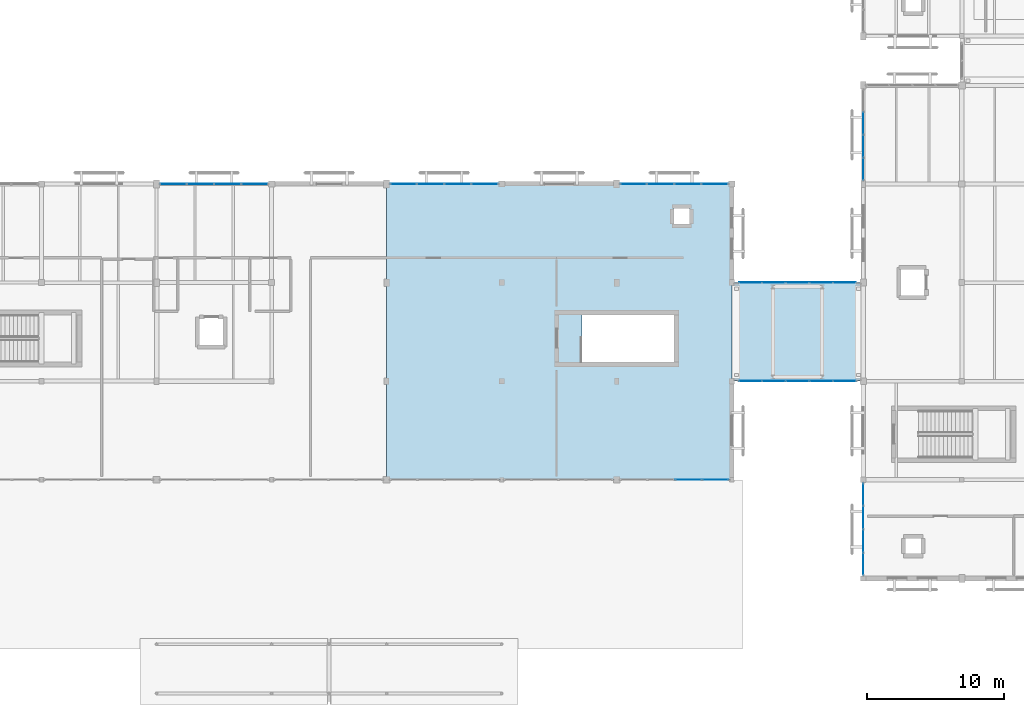
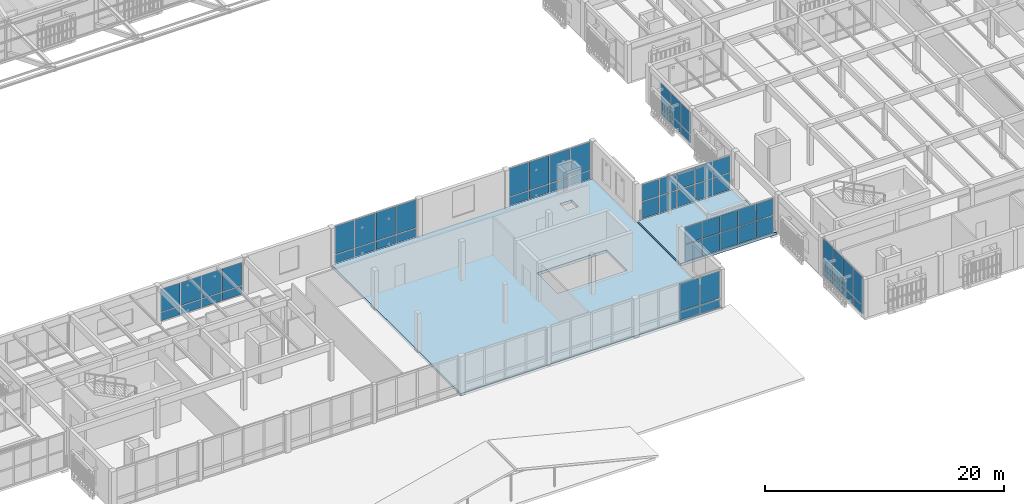
# One storey, part 166 of 217: 62 plates, 2 slabs, 8 elements without a shape of their own.
"""IFC4 building model written with IfcOpenShell, lengths in metres."""

from ifc_helpers import new_model, si_unit, direction, frame, origin, origin_2d, place, context, subcontext, project, spatial, polyline, rectangle, outline, extrude, material, layer, layer_set, type_object, element, aggregate, save


model = new_model("IFC4")

# Units and contexts
model_context = context("Model", 3, precision=1e-05, world=origin(), true_north=direction((0.0, 1.0)))
body_context = subcontext(model_context, "Body", "Model", "MODEL_VIEW")
ifc_project = project(units=[si_unit("LENGTHUNIT", "METRE"), si_unit("AREAUNIT", "SQUARE_METRE"), si_unit("VOLUMEUNIT", "CUBIC_METRE"), si_unit("PLANEANGLEUNIT", "RADIAN"), si_unit("MASSUNIT", "GRAM", prefix="KILO")], contexts=[model_context])

# Site, building, storey
site_placement = place(None, origin())
site = spatial("IfcSite", under=ifc_project, at=site_placement, CompositionType="ELEMENT")
building_placement = place(site_placement, origin())
building = spatial("IfcBuilding", under=site, at=building_placement, Name="Mazaris Harbour Polytechnic", CompositionType="ELEMENT")
storey_placement = place(building_placement, frame((0.0, 0.0, 9.60009765625)))
storey = spatial("IfcBuildingStorey", under=building, at=storey_placement, Name="L02", CompositionType="ELEMENT", Elevation=9.60009765625)

# Slabs
ifc_material_1 = material(Name="Glulam GL28h and Concrete C30/37", Category="concrete")
ifc_layer_1 = layer(ifc_material_1, 0.264892578125, Name="Glulam GL28h and Concrete C30/37")
ifc_layer_set_1 = layer_set([ifc_layer_1], Name="Glulam GL28h and Concrete C30/37")
slab_type_1 = type_object("IfcSlabType", Name="CLT Composite Floor 265", PredefinedType="FLOOR", material=ifc_layer_set_1)
slab_1_placement = place(storey_placement, frame((0.0, 0.0, -0.26513671875)))
element("IfcSlab", 1, at=slab_1_placement, inside=storey, type_object=slab_type_1, Name="PB-E1 L02 Bridge Deck", PredefinedType="FLOOR", context=body_context, shape_type="SweptSolid", body=[
    extrude(outline(polyline([(122.25, 21.60009765625), (122.25, 28.800048828125), (112.949951171875, 28.800048828125), (112.949951171875, 21.60009765625), (122.25, 21.60009765625)])), origin(), (0.0, 0.0, 1.0), 0.26513671875),
])
ifc_material_2 = material(Name="Glulam GL28h and Concrete C30/37", Category="concrete")
ifc_layer_2 = layer(ifc_material_2, 0.280029296875, Name="Glulam GL28h and Concrete C30/37")
ifc_layer_set_2 = layer_set([ifc_layer_2], Name="Glulam GL28h and Concrete C30/37")
slab_type_2 = type_object("IfcSlabType", Name="CLT Composite Floor 280", PredefinedType="FLOOR", material=ifc_layer_set_2)
slab_2_placement = place(storey_placement, frame((0.0, 0.0, -0.280029296875)))
element("IfcSlab", 2, at=slab_2_placement, inside=storey, type_object=slab_type_2, Name="V3 L02 Floor Slab", PredefinedType="FLOOR", context=body_context, shape_type="SweptSolid", body=[
    extrude(outline(polyline([(112.800048828125, 36.0), (112.800048828125, 14.39990234375), (87.60009765625, 14.39990234375), (87.60009765625, 36.0), (112.800048828125, 36.0)]), holes=[polyline([(108.60009765625, 26.449951171875), (101.875, 26.449951171875), (101.875, 23.0), (108.60009765625, 23.0), (108.60009765625, 26.449951171875)]), polyline([(108.580078125, 34.199951171875), (108.580078125, 33.080078125), (109.699951171875, 33.080078125), (109.699951171875, 34.199951171875), (108.580078125, 34.199951171875)])]), origin(), (0.0, 0.0, 1.0), 0.280029296875),
])

# Curtain wall, plates
ifc_material_3 = material(Name="Anodised Bronze Aluminium and Low-E Glass", Category="aluminium")
ifc_layer_3 = layer(ifc_material_3, 0.139892578125, Name="Anodised Bronze Aluminium and Low-E Glass")
ifc_layer_set_3 = layer_set([ifc_layer_3], Name="Anodised Bronze Aluminium and Low-E Glass")
curtain_wall_type_1 = type_object("IfcCurtainWallType", Name="Seismic Link Bridge Glazing", PredefinedType="NOTDEFINED", material=ifc_layer_set_3)
curtain_wall_1_placement = place(storey_placement, origin())
curtain_wall_1 = element("IfcCurtainWall", 3, at=curtain_wall_1_placement, inside=storey, type_object=curtain_wall_type_1, Name="PB-E1 L02 Bridge Glazing", PredefinedType="NOTDEFINED")
ifc_material_4 = material(Name="Anodised Bronze Insulated Panel")
ifc_layer_4 = layer(ifc_material_4, 0.0419921875, Name="Anodised Bronze Insulated Panel")
ifc_layer_set_4 = layer_set([ifc_layer_4], Name="Anodised Bronze Insulated Panel")
plate_type_1 = type_object("IfcPlateType", Name="Insulated Bronze Spandrel Panel 42", PredefinedType="CURTAIN_PANEL", material=ifc_layer_set_4)
plate_1_placement = place(storey_placement, frame((114.1640625, 21.60009765625, 0.080078125), z_axis=(0.0, 0.0, 1.0), x_axis=(1.0, 0.0, 0.0)))
plate_1 = element("IfcPlate", 4, at=plate_1_placement, type_object=plate_type_1, Name="CW-05 panel 1.1", PredefinedType="CURTAIN_PANEL", context=body_context, shape_type="SweptSolid", body=[
    extrude(rectangle(XDim=1.60791015625, YDim=0.0419921875, at=origin_2d()), origin(), (0.0, 0.0, 1.0), 1.697509765625),
])
plate_2_placement = place(storey_placement, frame((114.1640625, 21.60009765625, 1.857421875), z_axis=(0.0, 0.0, 1.0), x_axis=(1.0, 0.0, 0.0)))
plate_2 = element("IfcPlate", 5, at=plate_2_placement, type_object=plate_type_1, Name="CW-05 panel 1.2", PredefinedType="CURTAIN_PANEL", context=body_context, shape_type="SweptSolid", body=[
    extrude(rectangle(XDim=1.60791015625, YDim=0.0419921875, at=origin_2d()), origin(), (0.0, 0.0, 1.0), 1.697509765625),
])
plate_3_placement = place(storey_placement, frame((115.8720703125, 21.60009765625, 0.080078125), z_axis=(0.0, 0.0, 1.0), x_axis=(1.0, 0.0, 0.0)))
plate_3 = element("IfcPlate", 6, at=plate_3_placement, type_object=plate_type_1, Name="CW-05 panel 2.1", PredefinedType="CURTAIN_PANEL", context=body_context, shape_type="SweptSolid", body=[
    extrude(rectangle(XDim=1.64794921875, YDim=0.0419921875, at=origin_2d()), origin(), (0.0, 0.0, 1.0), 1.697509765625),
])
plate_4_placement = place(storey_placement, frame((115.8720703125, 21.60009765625, 1.857421875), z_axis=(0.0, 0.0, 1.0), x_axis=(1.0, 0.0, 0.0)))
plate_4 = element("IfcPlate", 7, at=plate_4_placement, type_object=plate_type_1, Name="CW-05 panel 2.2", PredefinedType="CURTAIN_PANEL", context=body_context, shape_type="SweptSolid", body=[
    extrude(rectangle(XDim=1.64794921875, YDim=0.0419921875, at=origin_2d()), origin(), (0.0, 0.0, 1.0), 1.697509765625),
])
plate_5_placement = place(storey_placement, frame((117.60009765625, 21.60009765625, 0.080078125), z_axis=(0.0, 0.0, 1.0), x_axis=(1.0, 0.0, 0.0)))
plate_5 = element("IfcPlate", 8, at=plate_5_placement, type_object=plate_type_1, Name="CW-05 panel 3.1", PredefinedType="CURTAIN_PANEL", context=body_context, shape_type="SweptSolid", body=[
    extrude(rectangle(XDim=1.64794921875, YDim=0.0419921875, at=origin_2d()), origin(), (0.0, 0.0, 1.0), 1.697509765625),
])
plate_6_placement = place(storey_placement, frame((117.60009765625, 21.60009765625, 1.857421875), z_axis=(0.0, 0.0, 1.0), x_axis=(1.0, 0.0, 0.0)))
plate_6 = element("IfcPlate", 9, at=plate_6_placement, type_object=plate_type_1, Name="CW-05 panel 3.2", PredefinedType="CURTAIN_PANEL", context=body_context, shape_type="SweptSolid", body=[
    extrude(rectangle(XDim=1.64794921875, YDim=0.0419921875, at=origin_2d()), origin(), (0.0, 0.0, 1.0), 1.697509765625),
])
plate_7_placement = place(storey_placement, frame((119.327880859375, 21.60009765625, 0.080078125), z_axis=(0.0, 0.0, 1.0), x_axis=(1.0, 0.0, 0.0)))
plate_7 = element("IfcPlate", 10, at=plate_7_placement, type_object=plate_type_1, Name="CW-05 panel 4.1", PredefinedType="CURTAIN_PANEL", context=body_context, shape_type="SweptSolid", body=[
    extrude(rectangle(XDim=1.64794921875, YDim=0.0419921875, at=origin_2d()), origin(), (0.0, 0.0, 1.0), 1.697509765625),
])
plate_8_placement = place(storey_placement, frame((119.327880859375, 21.60009765625, 1.857421875), z_axis=(0.0, 0.0, 1.0), x_axis=(1.0, 0.0, 0.0)))
plate_8 = element("IfcPlate", 11, at=plate_8_placement, type_object=plate_type_1, Name="CW-05 panel 4.2", PredefinedType="CURTAIN_PANEL", context=body_context, shape_type="SweptSolid", body=[
    extrude(rectangle(XDim=1.64794921875, YDim=0.0419921875, at=origin_2d()), origin(), (0.0, 0.0, 1.0), 1.697509765625),
])
plate_9_placement = place(storey_placement, frame((121.035888671875, 21.60009765625, 0.080078125), z_axis=(0.0, 0.0, 1.0), x_axis=(1.0, 0.0, 0.0)))
plate_9 = element("IfcPlate", 12, at=plate_9_placement, type_object=plate_type_1, Name="CW-05 panel 5.1", PredefinedType="CURTAIN_PANEL", context=body_context, shape_type="SweptSolid", body=[
    extrude(rectangle(XDim=1.60791015625, YDim=0.0419921875, at=origin_2d()), origin(), (0.0, 0.0, 1.0), 1.697509765625),
])
plate_10_placement = place(storey_placement, frame((121.035888671875, 21.60009765625, 1.857421875), z_axis=(0.0, 0.0, 1.0), x_axis=(1.0, 0.0, 0.0)))
plate_10 = element("IfcPlate", 13, at=plate_10_placement, type_object=plate_type_1, Name="CW-05 panel 5.2", PredefinedType="CURTAIN_PANEL", context=body_context, shape_type="SweptSolid", body=[
    extrude(rectangle(XDim=1.60791015625, YDim=0.0419921875, at=origin_2d()), origin(), (0.0, 0.0, 1.0), 1.697509765625),
])
aggregate(curtain_wall_1, [plate_1, plate_2, plate_3, plate_4, plate_5, plate_6, plate_7, plate_8, plate_9, plate_10])

ifc_material_5 = material(Name="Anodised Bronze Aluminium and Low-E Glass", Category="aluminium")
ifc_layer_5 = layer(ifc_material_5, 0.159912109375, Name="Anodised Bronze Aluminium and Low-E Glass")
ifc_layer_set_5 = layer_set([ifc_layer_5], Name="Anodised Bronze Aluminium and Low-E Glass")
curtain_wall_type_2 = type_object("IfcCurtainWallType", Name="Cloister Court Curtain Wall", PredefinedType="NOTDEFINED", material=ifc_layer_set_5)
curtain_wall_2_placement = place(storey_placement, origin())
curtain_wall_2 = element("IfcCurtainWall", 14, at=curtain_wall_2_placement, inside=storey, type_object=curtain_wall_type_2, Name="V2 L02 Curtain Wall 53", PredefinedType="NOTDEFINED")
ifc_material_6 = material(Name="Low-E Double Glazing", Category="glass")
ifc_layer_6 = layer(ifc_material_6, 0.028076171875, Name="Low-E Double Glazing")
ifc_layer_set_6 = layer_set([ifc_layer_6], Name="Low-E Double Glazing")
plate_type_2 = type_object("IfcPlateType", Name="Low-E Vision Glass Panel 28", PredefinedType="CURTAIN_PANEL", material=ifc_layer_set_6)
plate_11_placement = place(storey_placement, frame((122.39990234375, 8.25390625, 0.079833984375), z_axis=(0.0, 0.0, 1.0), x_axis=(0.0, 1.0, 0.0)))
plate_11 = element("IfcPlate", 15, at=plate_11_placement, type_object=plate_type_2, Name="CW-02 panel 1.1", PredefinedType="CURTAIN_PANEL", context=body_context, shape_type="SweptSolid", body=[
    extrude(rectangle(XDim=1.583984375, YDim=0.028076171875, at=origin_2d()), origin(), (0.0, 0.0, 1.0), 0.830078125),
])
plate_12_placement = place(storey_placement, frame((122.39990234375, 8.25390625, 0.98974609375), z_axis=(0.0, 0.0, 1.0), x_axis=(0.0, 1.0, 0.0)))
plate_12 = element("IfcPlate", 16, at=plate_12_placement, type_object=plate_type_2, Name="CW-02 panel 1.2", PredefinedType="CURTAIN_PANEL", context=body_context, shape_type="SweptSolid", body=[
    extrude(rectangle(XDim=1.583984375, YDim=0.028076171875, at=origin_2d()), origin(), (0.0, 0.0, 1.0), 2.85009765625),
])
plate_13_placement = place(storey_placement, frame((122.39990234375, 9.93798828125, 0.079833984375), z_axis=(0.0, 0.0, 1.0), x_axis=(0.0, 1.0, 0.0)))
plate_13 = element("IfcPlate", 17, at=plate_13_placement, type_object=plate_type_2, Name="CW-02 panel 2.1", PredefinedType="CURTAIN_PANEL", context=body_context, shape_type="SweptSolid", body=[
    extrude(rectangle(XDim=1.6240234375, YDim=0.028076171875, at=origin_2d()), origin(), (0.0, 0.0, 1.0), 0.830078125),
])
plate_14_placement = place(storey_placement, frame((122.39990234375, 9.93798828125, 0.98974609375), z_axis=(0.0, 0.0, 1.0), x_axis=(0.0, 1.0, 0.0)))
plate_14 = element("IfcPlate", 18, at=plate_14_placement, type_object=plate_type_2, Name="CW-02 panel 2.2", PredefinedType="CURTAIN_PANEL", context=body_context, shape_type="SweptSolid", body=[
    extrude(rectangle(XDim=1.6240234375, YDim=0.028076171875, at=origin_2d()), origin(), (0.0, 0.0, 1.0), 2.85009765625),
])
plate_15_placement = place(storey_placement, frame((122.39990234375, 11.64208984375, 0.079833984375), z_axis=(0.0, 0.0, 1.0), x_axis=(0.0, 1.0, 0.0)))
plate_15 = element("IfcPlate", 19, at=plate_15_placement, type_object=plate_type_2, Name="CW-02 panel 3.1", PredefinedType="CURTAIN_PANEL", context=body_context, shape_type="SweptSolid", body=[
    extrude(rectangle(XDim=1.6240234375, YDim=0.028076171875, at=origin_2d()), origin(), (0.0, 0.0, 1.0), 0.830078125),
])
plate_16_placement = place(storey_placement, frame((122.39990234375, 11.64208984375, 0.98974609375), z_axis=(0.0, 0.0, 1.0), x_axis=(0.0, 1.0, 0.0)))
plate_16 = element("IfcPlate", 20, at=plate_16_placement, type_object=plate_type_2, Name="CW-02 panel 3.2", PredefinedType="CURTAIN_PANEL", context=body_context, shape_type="SweptSolid", body=[
    extrude(rectangle(XDim=1.6240234375, YDim=0.028076171875, at=origin_2d()), origin(), (0.0, 0.0, 1.0), 2.85009765625),
])
plate_17_placement = place(storey_placement, frame((122.39990234375, 13.325927734375, 0.079833984375), z_axis=(0.0, 0.0, 1.0), x_axis=(0.0, 1.0, 0.0)))
plate_17 = element("IfcPlate", 21, at=plate_17_placement, type_object=plate_type_2, Name="CW-02 panel 4.1", PredefinedType="CURTAIN_PANEL", context=body_context, shape_type="SweptSolid", body=[
    extrude(rectangle(XDim=1.583984375, YDim=0.028076171875, at=origin_2d()), origin(), (0.0, 0.0, 1.0), 0.830078125),
])
plate_18_placement = place(storey_placement, frame((122.39990234375, 13.325927734375, 0.98974609375), z_axis=(0.0, 0.0, 1.0), x_axis=(0.0, 1.0, 0.0)))
plate_18 = element("IfcPlate", 22, at=plate_18_placement, type_object=plate_type_2, Name="CW-02 panel 4.2", PredefinedType="CURTAIN_PANEL", context=body_context, shape_type="SweptSolid", body=[
    extrude(rectangle(XDim=1.583984375, YDim=0.028076171875, at=origin_2d()), origin(), (0.0, 0.0, 1.0), 2.85009765625),
])
aggregate(curtain_wall_2, [plate_11, plate_12, plate_13, plate_14, plate_15, plate_16, plate_17, plate_18])

curtain_wall_3_placement = place(storey_placement, origin())
curtain_wall_3 = element("IfcCurtainWall", 23, at=curtain_wall_3_placement, inside=storey, type_object=curtain_wall_type_2, Name="V2 L02 Curtain Wall 54", PredefinedType="NOTDEFINED")
plate_19_placement = place(storey_placement, frame((122.39990234375, 37.09033203125, 0.079833984375), z_axis=(0.0, 0.0, 1.0), x_axis=(0.0, 1.0, 0.0)))
plate_19 = element("IfcPlate", 24, at=plate_19_placement, type_object=plate_type_2, Name="CW-02 panel 1.1", PredefinedType="CURTAIN_PANEL", context=body_context, shape_type="SweptSolid", body=[
    extrude(rectangle(XDim=1.556396484375, YDim=0.028076171875, at=origin_2d()), origin(), (0.0, 0.0, 1.0), 0.830078125),
])
plate_20_placement = place(storey_placement, frame((122.39990234375, 37.09033203125, 0.98974609375), z_axis=(0.0, 0.0, 1.0), x_axis=(0.0, 1.0, 0.0)))
plate_20 = element("IfcPlate", 25, at=plate_20_placement, type_object=plate_type_2, Name="CW-02 panel 1.2", PredefinedType="CURTAIN_PANEL", context=body_context, shape_type="SweptSolid", body=[
    extrude(rectangle(XDim=1.556396484375, YDim=0.028076171875, at=origin_2d()), origin(), (0.0, 0.0, 1.0), 2.260009765625),
])
plate_21_placement = place(storey_placement, frame((122.39990234375, 38.746826171875, 0.079833984375), z_axis=(0.0, 0.0, 1.0), x_axis=(0.0, 1.0, 0.0)))
plate_21 = element("IfcPlate", 26, at=plate_21_placement, type_object=plate_type_2, Name="CW-02 panel 2.1", PredefinedType="CURTAIN_PANEL", context=body_context, shape_type="SweptSolid", body=[
    extrude(rectangle(XDim=1.596435546875, YDim=0.028076171875, at=origin_2d()), origin(), (0.0, 0.0, 1.0), 0.830078125),
])
plate_22_placement = place(storey_placement, frame((122.39990234375, 38.746826171875, 0.98974609375), z_axis=(0.0, 0.0, 1.0), x_axis=(0.0, 1.0, 0.0)))
plate_22 = element("IfcPlate", 27, at=plate_22_placement, type_object=plate_type_2, Name="CW-02 panel 2.2", PredefinedType="CURTAIN_PANEL", context=body_context, shape_type="SweptSolid", body=[
    extrude(rectangle(XDim=1.596435546875, YDim=0.028076171875, at=origin_2d()), origin(), (0.0, 0.0, 1.0), 2.260009765625),
])
plate_23_placement = place(storey_placement, frame((122.39990234375, 40.42333984375, 0.079833984375), z_axis=(0.0, 0.0, 1.0), x_axis=(0.0, 1.0, 0.0)))
plate_23 = element("IfcPlate", 28, at=plate_23_placement, type_object=plate_type_2, Name="CW-02 panel 3.1", PredefinedType="CURTAIN_PANEL", context=body_context, shape_type="SweptSolid", body=[
    extrude(rectangle(XDim=1.596435546875, YDim=0.028076171875, at=origin_2d()), origin(), (0.0, 0.0, 1.0), 0.830078125),
])
plate_24_placement = place(storey_placement, frame((122.39990234375, 40.42333984375, 0.98974609375), z_axis=(0.0, 0.0, 1.0), x_axis=(0.0, 1.0, 0.0)))
plate_24 = element("IfcPlate", 29, at=plate_24_placement, type_object=plate_type_2, Name="CW-02 panel 3.2", PredefinedType="CURTAIN_PANEL", context=body_context, shape_type="SweptSolid", body=[
    extrude(rectangle(XDim=1.596435546875, YDim=0.028076171875, at=origin_2d()), origin(), (0.0, 0.0, 1.0), 2.260009765625),
])
aggregate(curtain_wall_3, [plate_19, plate_20, plate_21, plate_22, plate_23, plate_24])

ifc_material_7 = material(Name="Anodised Bronze Aluminium and Low-E Glass", Category="aluminium")
ifc_layer_7 = layer(ifc_material_7, 0.179931640625, Name="Anodised Bronze Aluminium and Low-E Glass")
ifc_layer_set_7 = layer_set([ifc_layer_7], Name="Anodised Bronze Aluminium and Low-E Glass")
curtain_wall_type_3 = type_object("IfcCurtainWallType", Name="Harbour Colonnade Curtain Wall", PredefinedType="NOTDEFINED", material=ifc_layer_set_7)
curtain_wall_4_placement = place(storey_placement, origin())
curtain_wall_4 = element("IfcCurtainWall", 30, at=curtain_wall_4_placement, inside=storey, type_object=curtain_wall_type_3, Name="V3 L02 Curtain Wall 85", PredefinedType="NOTDEFINED")
plate_25_placement = place(storey_placement, frame((111.613525390625, 14.39990234375, 0.119873046875), z_axis=(0.0, 0.0, 1.0), x_axis=(-1.0, 0.0, 0.0)))
plate_25 = element("IfcPlate", 31, at=plate_25_placement, type_object=plate_type_2, Name="CW-01 panel 1.1", PredefinedType="CURTAIN_PANEL", context=body_context, shape_type="SweptSolid", body=[
    extrude(rectangle(XDim=1.84912109375, YDim=0.028076171875, at=origin_2d()), origin(), (0.0, 0.0, 1.0), 0.77001953125),
])
plate_26_placement = place(storey_placement, frame((111.613525390625, 14.39990234375, 1.009765625), z_axis=(0.0, 0.0, 1.0), x_axis=(-1.0, 0.0, 0.0)))
plate_26 = element("IfcPlate", 32, at=plate_26_placement, type_object=plate_type_2, Name="CW-01 panel 1.2", PredefinedType="CURTAIN_PANEL", context=body_context, shape_type="SweptSolid", body=[
    extrude(rectangle(XDim=1.84912109375, YDim=0.028076171875, at=origin_2d()), origin(), (0.0, 0.0, 1.0), 2.804931640625),
])
plate_27_placement = place(storey_placement, frame((109.639404296875, 14.39990234375, 0.119873046875), z_axis=(0.0, 0.0, 1.0), x_axis=(-1.0, 0.0, 0.0)))
plate_27 = element("IfcPlate", 33, at=plate_27_placement, type_object=plate_type_2, Name="CW-01 panel 2.1", PredefinedType="CURTAIN_PANEL", context=body_context, shape_type="SweptSolid", body=[
    extrude(rectangle(XDim=1.89892578125, YDim=0.028076171875, at=origin_2d()), origin(), (0.0, 0.0, 1.0), 0.77001953125),
])
plate_28_placement = place(storey_placement, frame((109.639404296875, 14.39990234375, 1.009765625), z_axis=(0.0, 0.0, 1.0), x_axis=(-1.0, 0.0, 0.0)))
plate_28 = element("IfcPlate", 34, at=plate_28_placement, type_object=plate_type_2, Name="CW-01 panel 2.2", PredefinedType="CURTAIN_PANEL", context=body_context, shape_type="SweptSolid", body=[
    extrude(rectangle(XDim=1.89892578125, YDim=0.028076171875, at=origin_2d()), origin(), (0.0, 0.0, 1.0), 2.804931640625),
])
aggregate(curtain_wall_4, [plate_25, plate_26, plate_27, plate_28])

curtain_wall_5_placement = place(storey_placement, origin())
curtain_wall_5 = element("IfcCurtainWall", 35, at=curtain_wall_5_placement, inside=storey, type_object=curtain_wall_type_2, Name="V3 L02 Curtain Wall 87", PredefinedType="NOTDEFINED")
plate_29_placement = place(storey_placement, frame((72.02783203125, 36.0, 0.079833984375), z_axis=(0.0, 0.0, 1.0), x_axis=(1.0, 0.0, 0.0)))
plate_29 = element("IfcPlate", 36, at=plate_29_placement, type_object=plate_type_2, Name="CW-02 panel 1.1", PredefinedType="CURTAIN_PANEL", context=body_context, shape_type="SweptSolid", body=[
    extrude(rectangle(XDim=1.87158203125, YDim=0.028076171875, at=origin_2d()), origin(), (0.0, 0.0, 1.0), 0.830078125),
])
plate_30_placement = place(storey_placement, frame((72.02783203125, 36.0, 0.989990234375), z_axis=(0.0, 0.0, 1.0), x_axis=(1.0, 0.0, 0.0)))
plate_30 = element("IfcPlate", 37, at=plate_30_placement, type_object=plate_type_2, Name="CW-02 panel 1.2", PredefinedType="CURTAIN_PANEL", context=body_context, shape_type="SweptSolid", body=[
    extrude(rectangle(XDim=1.87158203125, YDim=0.028076171875, at=origin_2d()), origin(), (0.0, 0.0, 1.0), 2.3349609375),
])
plate_31_placement = place(storey_placement, frame((73.999267578125, 36.0, 0.079833984375), z_axis=(0.0, 0.0, 1.0), x_axis=(1.0, 0.0, 0.0)))
plate_31 = element("IfcPlate", 38, at=plate_31_placement, type_object=plate_type_2, Name="CW-02 panel 2.1", PredefinedType="CURTAIN_PANEL", context=body_context, shape_type="SweptSolid", body=[
    extrude(rectangle(XDim=1.91162109375, YDim=0.028076171875, at=origin_2d()), origin(), (0.0, 0.0, 1.0), 0.830078125),
])
plate_32_placement = place(storey_placement, frame((73.999267578125, 36.0, 0.989990234375), z_axis=(0.0, 0.0, 1.0), x_axis=(1.0, 0.0, 0.0)))
plate_32 = element("IfcPlate", 39, at=plate_32_placement, type_object=plate_type_2, Name="CW-02 panel 2.2", PredefinedType="CURTAIN_PANEL", context=body_context, shape_type="SweptSolid", body=[
    extrude(rectangle(XDim=1.91162109375, YDim=0.028076171875, at=origin_2d()), origin(), (0.0, 0.0, 1.0), 2.3349609375),
])
plate_33_placement = place(storey_placement, frame((75.99072265625, 36.0, 0.079833984375), z_axis=(0.0, 0.0, 1.0), x_axis=(1.0, 0.0, 0.0)))
plate_33 = element("IfcPlate", 40, at=plate_33_placement, type_object=plate_type_2, Name="CW-02 panel 3.1", PredefinedType="CURTAIN_PANEL", context=body_context, shape_type="SweptSolid", body=[
    extrude(rectangle(XDim=1.91162109375, YDim=0.028076171875, at=origin_2d()), origin(), (0.0, 0.0, 1.0), 0.830078125),
])
plate_34_placement = place(storey_placement, frame((75.99072265625, 36.0, 0.989990234375), z_axis=(0.0, 0.0, 1.0), x_axis=(1.0, 0.0, 0.0)))
plate_34 = element("IfcPlate", 41, at=plate_34_placement, type_object=plate_type_2, Name="CW-02 panel 3.2", PredefinedType="CURTAIN_PANEL", context=body_context, shape_type="SweptSolid", body=[
    extrude(rectangle(XDim=1.91162109375, YDim=0.028076171875, at=origin_2d()), origin(), (0.0, 0.0, 1.0), 2.3349609375),
])
plate_35_placement = place(storey_placement, frame((77.962158203125, 36.0, 0.079833984375), z_axis=(0.0, 0.0, 1.0), x_axis=(1.0, 0.0, 0.0)))
plate_35 = element("IfcPlate", 42, at=plate_35_placement, type_object=plate_type_2, Name="CW-02 panel 4.1", PredefinedType="CURTAIN_PANEL", context=body_context, shape_type="SweptSolid", body=[
    extrude(rectangle(XDim=1.87158203125, YDim=0.028076171875, at=origin_2d()), origin(), (0.0, 0.0, 1.0), 0.830078125),
])
plate_36_placement = place(storey_placement, frame((77.962158203125, 36.0, 0.989990234375), z_axis=(0.0, 0.0, 1.0), x_axis=(1.0, 0.0, 0.0)))
plate_36 = element("IfcPlate", 43, at=plate_36_placement, type_object=plate_type_2, Name="CW-02 panel 4.2", PredefinedType="CURTAIN_PANEL", context=body_context, shape_type="SweptSolid", body=[
    extrude(rectangle(XDim=1.87158203125, YDim=0.028076171875, at=origin_2d()), origin(), (0.0, 0.0, 1.0), 2.3349609375),
])
aggregate(curtain_wall_5, [plate_29, plate_30, plate_31, plate_32, plate_33, plate_34, plate_35, plate_36])

curtain_wall_6_placement = place(storey_placement, origin())
curtain_wall_6 = element("IfcCurtainWall", 44, at=curtain_wall_6_placement, inside=storey, type_object=curtain_wall_type_2, Name="V3 L02 Curtain Wall 88", PredefinedType="NOTDEFINED")
plate_37_placement = place(storey_placement, frame((88.82763671875, 36.0, 0.079833984375), z_axis=(0.0, 0.0, 1.0), x_axis=(1.0, 0.0, 0.0)))
plate_37 = element("IfcPlate", 45, at=plate_37_placement, type_object=plate_type_2, Name="CW-02 panel 1.1", PredefinedType="CURTAIN_PANEL", context=body_context, shape_type="SweptSolid", body=[
    extrude(rectangle(XDim=1.87158203125, YDim=0.028076171875, at=origin_2d()), origin(), (0.0, 0.0, 1.0), 0.830078125),
])
plate_38_placement = place(storey_placement, frame((88.82763671875, 36.0, 0.98974609375), z_axis=(0.0, 0.0, 1.0), x_axis=(1.0, 0.0, 0.0)))
plate_38 = element("IfcPlate", 46, at=plate_38_placement, type_object=plate_type_2, Name="CW-02 panel 1.2", PredefinedType="CURTAIN_PANEL", context=body_context, shape_type="SweptSolid", body=[
    extrude(rectangle(XDim=1.87158203125, YDim=0.028076171875, at=origin_2d()), origin(), (0.0, 0.0, 1.0), 2.864990234375),
])
plate_39_placement = place(storey_placement, frame((90.79931640625, 36.0, 0.079833984375), z_axis=(0.0, 0.0, 1.0), x_axis=(1.0, 0.0, 0.0)))
plate_39 = element("IfcPlate", 47, at=plate_39_placement, type_object=plate_type_2, Name="CW-02 panel 2.1", PredefinedType="CURTAIN_PANEL", context=body_context, shape_type="SweptSolid", body=[
    extrude(rectangle(XDim=1.91162109375, YDim=0.028076171875, at=origin_2d()), origin(), (0.0, 0.0, 1.0), 0.830078125),
])
plate_40_placement = place(storey_placement, frame((90.79931640625, 36.0, 0.98974609375), z_axis=(0.0, 0.0, 1.0), x_axis=(1.0, 0.0, 0.0)))
plate_40 = element("IfcPlate", 48, at=plate_40_placement, type_object=plate_type_2, Name="CW-02 panel 2.2", PredefinedType="CURTAIN_PANEL", context=body_context, shape_type="SweptSolid", body=[
    extrude(rectangle(XDim=1.91162109375, YDim=0.028076171875, at=origin_2d()), origin(), (0.0, 0.0, 1.0), 2.864990234375),
])
plate_41_placement = place(storey_placement, frame((92.790771484375, 36.0, 0.079833984375), z_axis=(0.0, 0.0, 1.0), x_axis=(1.0, 0.0, 0.0)))
plate_41 = element("IfcPlate", 49, at=plate_41_placement, type_object=plate_type_2, Name="CW-02 panel 3.1", PredefinedType="CURTAIN_PANEL", context=body_context, shape_type="SweptSolid", body=[
    extrude(rectangle(XDim=1.91162109375, YDim=0.028076171875, at=origin_2d()), origin(), (0.0, 0.0, 1.0), 0.830078125),
])
plate_42_placement = place(storey_placement, frame((92.790771484375, 36.0, 0.98974609375), z_axis=(0.0, 0.0, 1.0), x_axis=(1.0, 0.0, 0.0)))
plate_42 = element("IfcPlate", 50, at=plate_42_placement, type_object=plate_type_2, Name="CW-02 panel 3.2", PredefinedType="CURTAIN_PANEL", context=body_context, shape_type="SweptSolid", body=[
    extrude(rectangle(XDim=1.91162109375, YDim=0.028076171875, at=origin_2d()), origin(), (0.0, 0.0, 1.0), 2.864990234375),
])
plate_43_placement = place(storey_placement, frame((94.76220703125, 36.0, 0.079833984375), z_axis=(0.0, 0.0, 1.0), x_axis=(1.0, 0.0, 0.0)))
plate_43 = element("IfcPlate", 51, at=plate_43_placement, type_object=plate_type_2, Name="CW-02 panel 4.1", PredefinedType="CURTAIN_PANEL", context=body_context, shape_type="SweptSolid", body=[
    extrude(rectangle(XDim=1.87158203125, YDim=0.028076171875, at=origin_2d()), origin(), (0.0, 0.0, 1.0), 0.830078125),
])
plate_44_placement = place(storey_placement, frame((94.76220703125, 36.0, 0.98974609375), z_axis=(0.0, 0.0, 1.0), x_axis=(1.0, 0.0, 0.0)))
plate_44 = element("IfcPlate", 52, at=plate_44_placement, type_object=plate_type_2, Name="CW-02 panel 4.2", PredefinedType="CURTAIN_PANEL", context=body_context, shape_type="SweptSolid", body=[
    extrude(rectangle(XDim=1.87158203125, YDim=0.028076171875, at=origin_2d()), origin(), (0.0, 0.0, 1.0), 2.864990234375),
])
aggregate(curtain_wall_6, [plate_37, plate_38, plate_39, plate_40, plate_41, plate_42, plate_43, plate_44])

curtain_wall_7_placement = place(storey_placement, origin())
curtain_wall_7 = element("IfcCurtainWall", 53, at=curtain_wall_7_placement, inside=storey, type_object=curtain_wall_type_2, Name="V3 L02 Curtain Wall 89", PredefinedType="NOTDEFINED")
plate_45_placement = place(storey_placement, frame((105.627685546875, 36.0, 0.079833984375), z_axis=(0.0, 0.0, 1.0), x_axis=(1.0, 0.0, 0.0)))
plate_45 = element("IfcPlate", 54, at=plate_45_placement, type_object=plate_type_2, Name="CW-02 panel 1.1", PredefinedType="CURTAIN_PANEL", context=body_context, shape_type="SweptSolid", body=[
    extrude(rectangle(XDim=1.87158203125, YDim=0.028076171875, at=origin_2d()), origin(), (0.0, 0.0, 1.0), 0.830078125),
])
plate_46_placement = place(storey_placement, frame((105.627685546875, 36.0, 0.98974609375), z_axis=(0.0, 0.0, 1.0), x_axis=(1.0, 0.0, 0.0)))
plate_46 = element("IfcPlate", 55, at=plate_46_placement, type_object=plate_type_2, Name="CW-02 panel 1.2", PredefinedType="CURTAIN_PANEL", context=body_context, shape_type="SweptSolid", body=[
    extrude(rectangle(XDim=1.87158203125, YDim=0.028076171875, at=origin_2d()), origin(), (0.0, 0.0, 1.0), 2.864990234375),
])
plate_47_placement = place(storey_placement, frame((107.599365234375, 36.0, 0.079833984375), z_axis=(0.0, 0.0, 1.0), x_axis=(1.0, 0.0, 0.0)))
plate_47 = element("IfcPlate", 56, at=plate_47_placement, type_object=plate_type_2, Name="CW-02 panel 2.1", PredefinedType="CURTAIN_PANEL", context=body_context, shape_type="SweptSolid", body=[
    extrude(rectangle(XDim=1.91162109375, YDim=0.028076171875, at=origin_2d()), origin(), (0.0, 0.0, 1.0), 0.830078125),
])
plate_48_placement = place(storey_placement, frame((107.599365234375, 36.0, 0.98974609375), z_axis=(0.0, 0.0, 1.0), x_axis=(1.0, 0.0, 0.0)))
plate_48 = element("IfcPlate", 57, at=plate_48_placement, type_object=plate_type_2, Name="CW-02 panel 2.2", PredefinedType="CURTAIN_PANEL", context=body_context, shape_type="SweptSolid", body=[
    extrude(rectangle(XDim=1.91162109375, YDim=0.028076171875, at=origin_2d()), origin(), (0.0, 0.0, 1.0), 2.864990234375),
])
plate_49_placement = place(storey_placement, frame((109.5908203125, 36.0, 0.079833984375), z_axis=(0.0, 0.0, 1.0), x_axis=(1.0, 0.0, 0.0)))
plate_49 = element("IfcPlate", 58, at=plate_49_placement, type_object=plate_type_2, Name="CW-02 panel 3.1", PredefinedType="CURTAIN_PANEL", context=body_context, shape_type="SweptSolid", body=[
    extrude(rectangle(XDim=1.91162109375, YDim=0.028076171875, at=origin_2d()), origin(), (0.0, 0.0, 1.0), 0.830078125),
])
plate_50_placement = place(storey_placement, frame((109.5908203125, 36.0, 0.98974609375), z_axis=(0.0, 0.0, 1.0), x_axis=(1.0, 0.0, 0.0)))
plate_50 = element("IfcPlate", 59, at=plate_50_placement, type_object=plate_type_2, Name="CW-02 panel 3.2", PredefinedType="CURTAIN_PANEL", context=body_context, shape_type="SweptSolid", body=[
    extrude(rectangle(XDim=1.91162109375, YDim=0.028076171875, at=origin_2d()), origin(), (0.0, 0.0, 1.0), 2.864990234375),
])
plate_51_placement = place(storey_placement, frame((111.562255859375, 36.0, 0.079833984375), z_axis=(0.0, 0.0, 1.0), x_axis=(1.0, 0.0, 0.0)))
plate_51 = element("IfcPlate", 60, at=plate_51_placement, type_object=plate_type_2, Name="CW-02 panel 4.1", PredefinedType="CURTAIN_PANEL", context=body_context, shape_type="SweptSolid", body=[
    extrude(rectangle(XDim=1.87158203125, YDim=0.028076171875, at=origin_2d()), origin(), (0.0, 0.0, 1.0), 0.830078125),
])
plate_52_placement = place(storey_placement, frame((111.562255859375, 36.0, 0.98974609375), z_axis=(0.0, 0.0, 1.0), x_axis=(1.0, 0.0, 0.0)))
plate_52 = element("IfcPlate", 61, at=plate_52_placement, type_object=plate_type_2, Name="CW-02 panel 4.2", PredefinedType="CURTAIN_PANEL", context=body_context, shape_type="SweptSolid", body=[
    extrude(rectangle(XDim=1.87158203125, YDim=0.028076171875, at=origin_2d()), origin(), (0.0, 0.0, 1.0), 2.864990234375),
])
aggregate(curtain_wall_7, [plate_45, plate_46, plate_47, plate_48, plate_49, plate_50, plate_51, plate_52])

curtain_wall_8_placement = place(storey_placement, origin())
curtain_wall_8 = element("IfcCurtainWall", 62, at=curtain_wall_8_placement, inside=storey, type_object=curtain_wall_type_1, Name="PB-E1 L02 Bridge Glazing", PredefinedType="NOTDEFINED")
plate_53_placement = place(storey_placement, frame((121.035888671875, 28.800048828125, 0.080078125), z_axis=(0.0, 0.0, 1.0), x_axis=(-1.0, 0.0, 0.0)))
plate_53 = element("IfcPlate", 63, at=plate_53_placement, type_object=plate_type_2, Name="CW-05 panel 1.1", PredefinedType="CURTAIN_PANEL", context=body_context, shape_type="SweptSolid", body=[
    extrude(rectangle(XDim=1.60791015625, YDim=0.028076171875, at=origin_2d()), origin(), (0.0, 0.0, 1.0), 1.697509765625),
])
plate_54_placement = place(storey_placement, frame((121.035888671875, 28.800048828125, 1.857421875), z_axis=(0.0, 0.0, 1.0), x_axis=(-1.0, 0.0, 0.0)))
plate_54 = element("IfcPlate", 64, at=plate_54_placement, type_object=plate_type_2, Name="CW-05 panel 1.2", PredefinedType="CURTAIN_PANEL", context=body_context, shape_type="SweptSolid", body=[
    extrude(rectangle(XDim=1.60791015625, YDim=0.028076171875, at=origin_2d()), origin(), (0.0, 0.0, 1.0), 1.697509765625),
])
plate_55_placement = place(storey_placement, frame((119.327880859375, 28.800048828125, 0.080078125), z_axis=(0.0, 0.0, 1.0), x_axis=(-1.0, 0.0, 0.0)))
plate_55 = element("IfcPlate", 65, at=plate_55_placement, type_object=plate_type_2, Name="CW-05 panel 2.1", PredefinedType="CURTAIN_PANEL", context=body_context, shape_type="SweptSolid", body=[
    extrude(rectangle(XDim=1.64794921875, YDim=0.028076171875, at=origin_2d()), origin(), (0.0, 0.0, 1.0), 1.697509765625),
])
plate_56_placement = place(storey_placement, frame((119.327880859375, 28.800048828125, 1.857421875), z_axis=(0.0, 0.0, 1.0), x_axis=(-1.0, 0.0, 0.0)))
plate_56 = element("IfcPlate", 66, at=plate_56_placement, type_object=plate_type_2, Name="CW-05 panel 2.2", PredefinedType="CURTAIN_PANEL", context=body_context, shape_type="SweptSolid", body=[
    extrude(rectangle(XDim=1.64794921875, YDim=0.028076171875, at=origin_2d()), origin(), (0.0, 0.0, 1.0), 1.697509765625),
])
plate_57_placement = place(storey_placement, frame((117.60009765625, 28.800048828125, 0.080078125), z_axis=(0.0, 0.0, 1.0), x_axis=(-1.0, 0.0, 0.0)))
plate_57 = element("IfcPlate", 67, at=plate_57_placement, type_object=plate_type_2, Name="CW-05 panel 3.1", PredefinedType="CURTAIN_PANEL", context=body_context, shape_type="SweptSolid", body=[
    extrude(rectangle(XDim=1.64794921875, YDim=0.028076171875, at=origin_2d()), origin(), (0.0, 0.0, 1.0), 1.697509765625),
])
plate_58_placement = place(storey_placement, frame((117.60009765625, 28.800048828125, 1.857421875), z_axis=(0.0, 0.0, 1.0), x_axis=(-1.0, 0.0, 0.0)))
plate_58 = element("IfcPlate", 68, at=plate_58_placement, type_object=plate_type_2, Name="CW-05 panel 3.2", PredefinedType="CURTAIN_PANEL", context=body_context, shape_type="SweptSolid", body=[
    extrude(rectangle(XDim=1.64794921875, YDim=0.028076171875, at=origin_2d()), origin(), (0.0, 0.0, 1.0), 1.697509765625),
])
plate_59_placement = place(storey_placement, frame((115.8720703125, 28.800048828125, 0.080078125), z_axis=(0.0, 0.0, 1.0), x_axis=(-1.0, 0.0, 0.0)))
plate_59 = element("IfcPlate", 69, at=plate_59_placement, type_object=plate_type_2, Name="CW-05 panel 4.1", PredefinedType="CURTAIN_PANEL", context=body_context, shape_type="SweptSolid", body=[
    extrude(rectangle(XDim=1.64794921875, YDim=0.028076171875, at=origin_2d()), origin(), (0.0, 0.0, 1.0), 1.697509765625),
])
plate_60_placement = place(storey_placement, frame((115.8720703125, 28.800048828125, 1.857421875), z_axis=(0.0, 0.0, 1.0), x_axis=(-1.0, 0.0, 0.0)))
plate_60 = element("IfcPlate", 70, at=plate_60_placement, type_object=plate_type_2, Name="CW-05 panel 4.2", PredefinedType="CURTAIN_PANEL", context=body_context, shape_type="SweptSolid", body=[
    extrude(rectangle(XDim=1.64794921875, YDim=0.028076171875, at=origin_2d()), origin(), (0.0, 0.0, 1.0), 1.697509765625),
])
plate_61_placement = place(storey_placement, frame((114.1640625, 28.800048828125, 0.080078125), z_axis=(0.0, 0.0, 1.0), x_axis=(-1.0, 0.0, 0.0)))
plate_61 = element("IfcPlate", 71, at=plate_61_placement, type_object=plate_type_2, Name="CW-05 panel 5.1", PredefinedType="CURTAIN_PANEL", context=body_context, shape_type="SweptSolid", body=[
    extrude(rectangle(XDim=1.60791015625, YDim=0.028076171875, at=origin_2d()), origin(), (0.0, 0.0, 1.0), 1.697509765625),
])
plate_62_placement = place(storey_placement, frame((114.1640625, 28.800048828125, 1.857421875), z_axis=(0.0, 0.0, 1.0), x_axis=(-1.0, 0.0, 0.0)))
plate_62 = element("IfcPlate", 72, at=plate_62_placement, type_object=plate_type_2, Name="CW-05 panel 5.2", PredefinedType="CURTAIN_PANEL", context=body_context, shape_type="SweptSolid", body=[
    extrude(rectangle(XDim=1.60791015625, YDim=0.028076171875, at=origin_2d()), origin(), (0.0, 0.0, 1.0), 1.697509765625),
])
aggregate(curtain_wall_8, [plate_53, plate_54, plate_55, plate_56, plate_57, plate_58, plate_59, plate_60, plate_61, plate_62])

save(model, "model.ifc")
